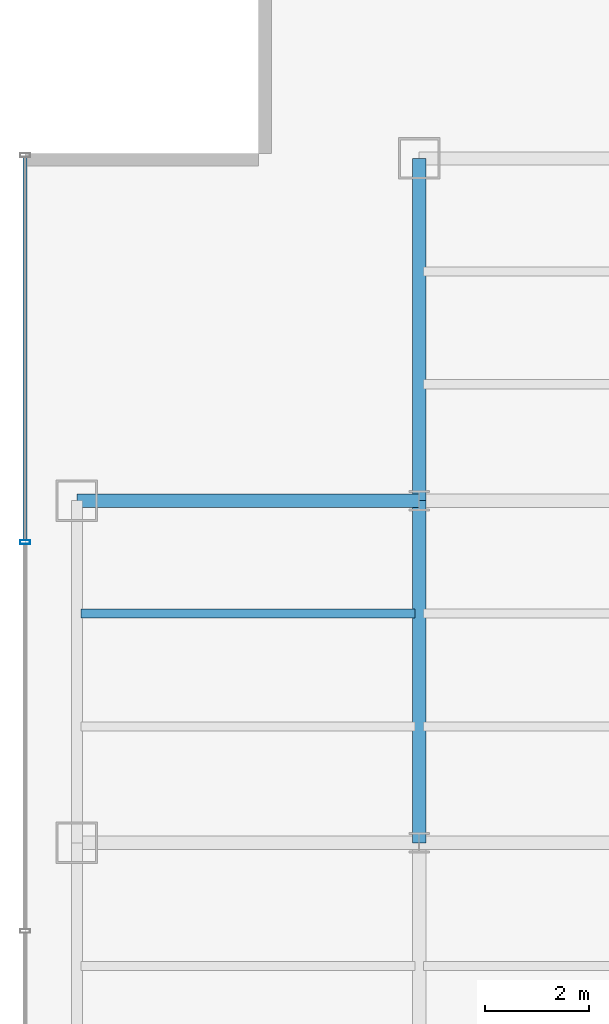
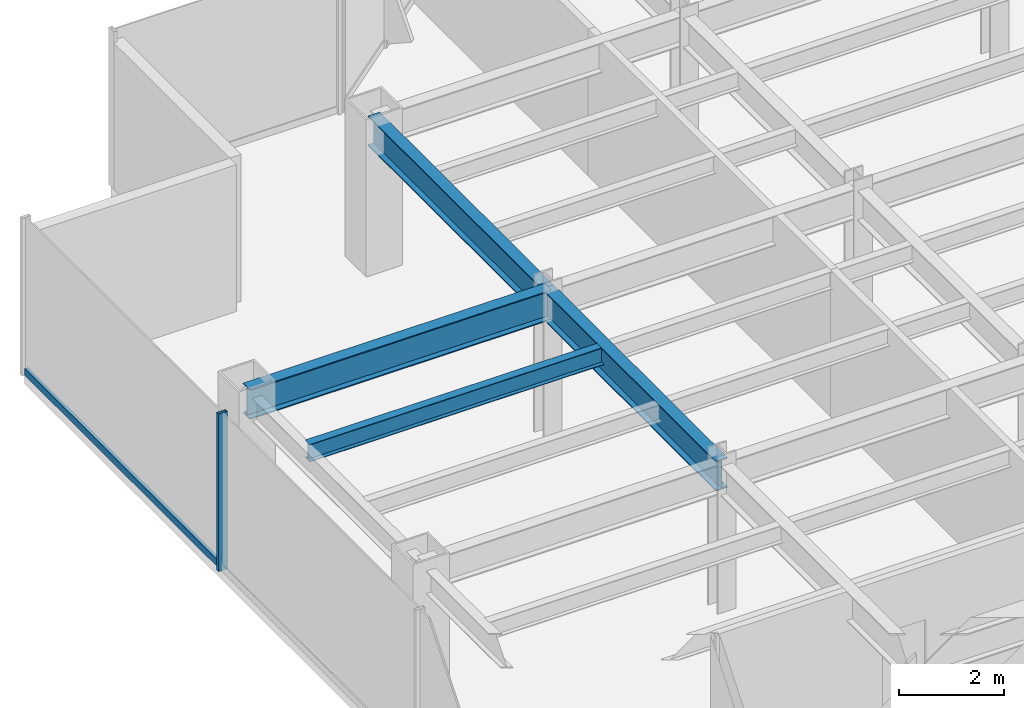
# One storey, part 6 of 26: 4 beams, 2 members, 1 element without a shape of its own.
"""IFC4 building model written with IfcOpenShell, lengths in metres."""

from ifc_helpers import new_model, si_unit, derived_unit, direction, frame, origin, origin_2d, place, context, subcontext, project, spatial, hollow_rectangle, i_section, extrude, source, transform, mapped, material, material_profile, profile_set, type_object, element, aggregate, save


model = new_model("IFC4")

# Units and contexts
model_context = context("Model", 3, precision=1e-05, world=origin(), true_north=direction((0.0, 1.0)))
body_context = subcontext(model_context, "Body", "Model", "MODEL_VIEW")
ifc_project = project(units=[si_unit("LENGTHUNIT", "METRE"), si_unit("AREAUNIT", "SQUARE_METRE"), si_unit("VOLUMEUNIT", "CUBIC_METRE"), si_unit("PLANEANGLEUNIT", "RADIAN"), si_unit("MASSUNIT", "GRAM", prefix="KILO"), derived_unit("THERMALTRANSMITTANCEUNIT", [(si_unit("POWERUNIT", "WATT"), 1), (si_unit("LENGTHUNIT", "METRE"), -2), (si_unit("THERMODYNAMICTEMPERATUREUNIT", "KELVIN"), -1)])], contexts=[model_context])

# Site, building, storey
site_placement = place(None, origin())
site = spatial("IfcSite", under=ifc_project, at=site_placement, CompositionType="ELEMENT")
building_placement = place(site_placement, origin())
building = spatial("IfcBuilding", under=site, at=building_placement, Name="Skarnbrae Concourse Arena and Tower", CompositionType="ELEMENT")
storey_placement = place(building_placement, frame((0.0, 0.0, 99.60009765625)))
storey = spatial("IfcBuildingStorey", under=building, at=storey_placement, Name="L24", CompositionType="ELEMENT", Elevation=99.60009765625)

# Beams
ifc_material_1 = material(Name="Steel CSA G40.21 350W", Category="steel")
ifc_material_profile_1 = material_profile(ifc_material_1, i_section(OverallWidth=0.256103515625, OverallDepth=0.693115234375, WebThickness=0.014404296875, FlangeThickness=0.023681640625, at=origin_2d()), Name="W690X170")
ifc_profile_set_1 = profile_set([ifc_material_profile_1], Name="Steel CSA G40.21 350W")
beam_type_1 = type_object("IfcBeamType", Name="BM-GIRD-W690X170", PredefinedType="BEAM", material=ifc_profile_set_1)
shared_shape_1 = source(origin(), body_context, "Body", "SweptSolid", [
    extrude(i_section(OverallWidth=0.256103515625, OverallDepth=0.693115234375, WebThickness=0.014404296875, FlangeThickness=0.023681640625, at=origin_2d()), origin(), (0.0, 0.0, 1.0), 6.60009765625),
])
for number, where, z_axis, x_axis, name in (
    (1, (1.0, 27.800048828125, 3.053466796875), (1.0, 0.0, 0.0), (0.0, 1.0, 0.0), "L24 Primary E-W girder Y27.8-1"),
    (2, (7.60009765625, 21.199951171875, 3.053466796875), (0.0, 1.0, 0.0), (-1.0, 0.0, 0.0), "L24 Primary N-S girder X7.6-2"),
):
    element("IfcBeam", number, at=place(storey_placement, frame(where, z_axis=z_axis, x_axis=x_axis)), inside=storey, type_object=beam_type_1, Name=name, PredefinedType="BEAM", context=body_context, shape_type="MappedRepresentation", body=[
        mapped(shared_shape_1, transform((0.0, 0.0, 0.0))),
    ])
shared_shape_2 = source(origin(), body_context, "Body", "SweptSolid", [
    extrude(i_section(OverallWidth=0.256103515625, OverallDepth=0.693115234375, WebThickness=0.014404296875, FlangeThickness=0.023681640625, at=origin_2d()), origin(), (0.0, 0.0, 1.0), 6.599853515625),
])
beam_1_placement = place(storey_placement, frame((7.60009765625, 27.800048828125, 3.053466796875), z_axis=(0.0, 1.0, 0.0), x_axis=(-1.0, 0.0, 0.0)))
element("IfcBeam", 3, at=beam_1_placement, inside=storey, type_object=beam_type_1, Name="L24 Primary N-S girder X7.6-3", PredefinedType="BEAM", context=body_context, shape_type="MappedRepresentation", body=[
    mapped(shared_shape_2, transform((0.0, 0.0, 0.0))),
])
ifc_material_profile_2 = material_profile(ifc_material_1, i_section(OverallWidth=0.177978515625, OverallDepth=0.406982421875, WebThickness=0.0078125, FlangeThickness=0.0126953125, at=origin_2d()), Name="W410X60")
ifc_profile_set_2 = profile_set([ifc_material_profile_2], Name="Steel CSA G40.21 350W")
beam_type_2 = type_object("IfcBeamType", Name="BM-JOIST-W410X60", PredefinedType="JOIST", material=ifc_profile_set_2)
shared_shape_3 = source(origin(), body_context, "Body", "SweptSolid", [
    extrude(i_section(OverallWidth=0.177978515625, OverallDepth=0.406982421875, WebThickness=0.0078125, FlangeThickness=0.0126953125, at=origin_2d()), origin(), (0.0, 0.0, 1.0), 6.43994140625),
])
beam_2_placement = place(storey_placement, frame((1.080078125, 25.6220703125, 3.1962890625), z_axis=(1.0, 0.0, 0.0), x_axis=(0.0, 1.0, 0.0)))
element("IfcBeam", 4, at=beam_2_placement, inside=storey, type_object=beam_type_2, Name="L24 Secondary floor joist 2.2.1", PredefinedType="JOIST", context=body_context, shape_type="MappedRepresentation", body=[
    mapped(shared_shape_3, transform((0.0, 0.0, 0.0))),
])

# Curtain wall, members
ifc_material_2 = material(Name="Bronze anodised aluminium 6063-T6", Category="aluminium")
curtain_wall_type = type_object("IfcCurtainWallType", Name="CW-SYS-04-MIDZONE", PredefinedType="USERDEFINED", material=ifc_material_2)
curtain_wall_placement = place(storey_placement, origin())
curtain_wall = element("IfcCurtainWall", 5, at=curtain_wall_placement, inside=storey, type_object=curtain_wall_type, Name="L24 Unitised curtain wall CW-L24-E19", ObjectType="UNITISED CURTAIN WALL", PredefinedType="USERDEFINED")
ifc_material_profile_3 = material_profile(ifc_material_2, hollow_rectangle(XDim=0.074951171875, YDim=0.159912109375, WallThickness=0.00439453125, at=origin_2d()), Name="ALU-TRAN-75X160")
ifc_profile_set_3 = profile_set([ifc_material_profile_3], Name="Bronze anodised aluminium 6063-T6")
member_type_1 = type_object("IfcMemberType", Name="CWT-CW-04", PredefinedType="USERDEFINED", material=ifc_profile_set_3)
shared_shape_4 = source(origin(), body_context, "Body", "SweptSolid", [
    extrude(hollow_rectangle(XDim=0.074951171875, YDim=0.159912109375, WallThickness=0.00439453125, at=origin_2d()), origin(), (0.0, 0.0, 1.0), 7.387451171875),
])
member_1_placement = place(storey_placement, frame((0.0, 34.425048828125, 0.079833984375), z_axis=(0.0, -1.0, 0.0), x_axis=(1.0, 0.0, 0.0)))
member_1 = element("IfcMember", 6, at=member_1_placement, type_object=member_type_1, Name="CW-L24-E19 Transom 1", ObjectType="TRANSOM", PredefinedType="USERDEFINED", context=body_context, shape_type="MappedRepresentation", body=[
    mapped(shared_shape_4, transform((0.0, 0.0, 0.0))),
])
ifc_material_profile_4 = material_profile(ifc_material_2, hollow_rectangle(XDim=0.074951171875, YDim=0.195068359375, WallThickness=0.00439453125, at=origin_2d()), Name="ALU-MULL-75X195")
ifc_profile_set_4 = profile_set([ifc_material_profile_4], Name="Bronze anodised aluminium 6063-T6")
member_type_2 = type_object("IfcMemberType", Name="CWM-CW-04", PredefinedType="MULLION", material=ifc_profile_set_4)
shared_shape_5 = source(origin(), body_context, "Body", "SweptSolid", [
    extrude(hollow_rectangle(XDim=0.074951171875, YDim=0.195068359375, WallThickness=0.00439453125, at=origin_2d()), origin(), (0.0, 0.0, 1.0), 3.64990234375),
])
member_2_placement = place(storey_placement, frame((0.0, 27.0, 0.0), z_axis=(0.0, 0.0, 1.0), x_axis=(0.0, -1.0, 0.0)))
member_2 = element("IfcMember", 7, at=member_2_placement, type_object=member_type_2, Name="CW-L24-E19 Mullion 2", PredefinedType="MULLION", context=body_context, shape_type="MappedRepresentation", body=[
    mapped(shared_shape_5, transform((0.0, 0.0, 0.0))),
])
aggregate(curtain_wall, [member_2, member_1])

save(model, "model.ifc")
